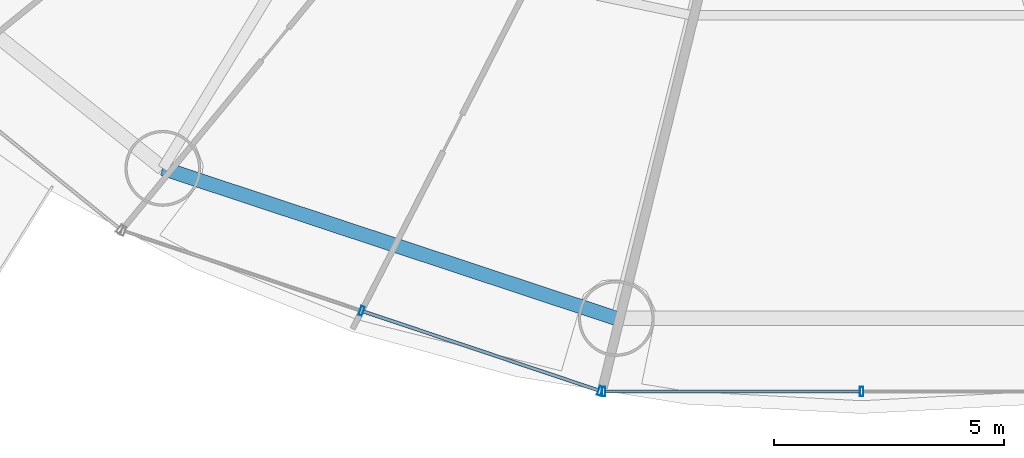
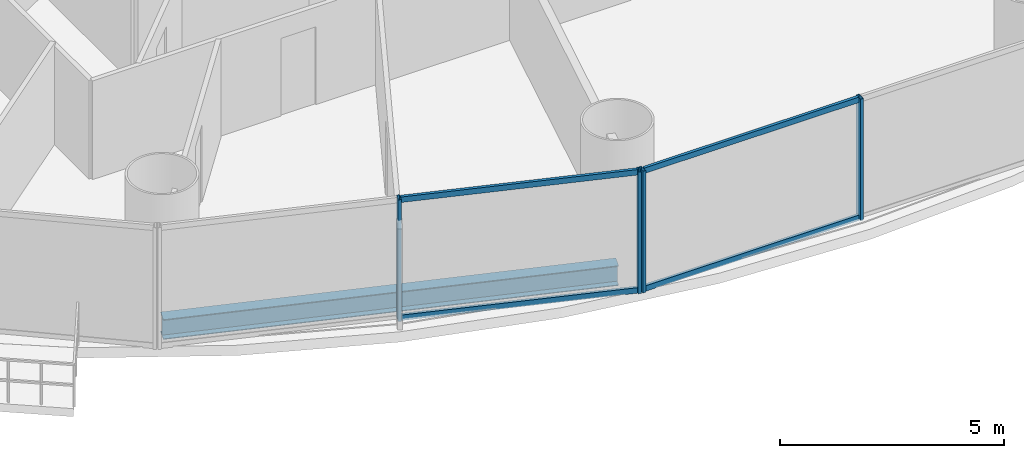
# One storey, part 4 of 30: 8 members, 1 beam, 2 elements without a shape of their own.
"""IFC4 building model written with IfcOpenShell, lengths in metres."""

from ifc_helpers import new_model, si_unit, direction, frame, origin, origin_2d, place, context, subcontext, project, spatial, hollow_rectangle, i_section, extrude, source, transform, mapped, material, material_profile, profile_set, type_object, element, aggregate, save


model = new_model("IFC4")

# Units and contexts
model_context = context("Model", 3, precision=1e-05, world=origin(), true_north=direction((-0.2419218956, 0.970295726276)))
body_context = subcontext(model_context, "Body", "Model", "MODEL_VIEW")
ifc_project = project(units=[si_unit("LENGTHUNIT", "METRE"), si_unit("AREAUNIT", "SQUARE_METRE"), si_unit("VOLUMEUNIT", "CUBIC_METRE"), si_unit("PLANEANGLEUNIT", "RADIAN"), si_unit("MASSUNIT", "GRAM", prefix="KILO")], contexts=[model_context])

# Site, building, storey
site_placement = place(None, origin())
site = spatial("IfcSite", under=ifc_project, at=site_placement, CompositionType="ELEMENT")
building_placement = place(site_placement, origin())
building = spatial("IfcBuilding", under=site, at=building_placement, Name="Cobrevalo Terracotta Tower", CompositionType="ELEMENT")
storey_placement = place(building_placement, frame((0.0, 0.0, 27.60009765625)))
storey = spatial("IfcBuildingStorey", under=building, at=storey_placement, Name="L06", CompositionType="ELEMENT", Elevation=27.60009765625)

# Beam
ifc_material_1 = material(Name="Steel S355", Category="steel")
ifc_material_profile_1 = material_profile(ifc_material_1, i_section(OverallWidth=0.31201171875, OverallDepth=0.54296875, WebThickness=0.0126953125, FlangeThickness=0.020263671875, at=origin_2d()), Name="W 530x150")
ifc_profile_set_1 = profile_set([ifc_material_profile_1], Name="Steel S355")
beam_type = type_object("IfcBeamType", Name="Structural Spandrel W 530x150 (Steel S355)", PredefinedType="SPANDREL", material=ifc_profile_set_1)
beam_placement = place(storey_placement, frame((22.80517578125, 8.63232421875, -0.551513671875), z_axis=(0.949372202648, -0.314153498848, 0.0), x_axis=(0.314153498848, 0.949372202648, 0.0)))
element("IfcBeam", 1, at=beam_placement, inside=storey, type_object=beam_type, Name="L06 perimeter ring spandrel 11", PredefinedType="SPANDREL", context=body_context, shape_type="SweptSolid", body=[
    extrude(i_section(OverallWidth=0.31201171875, OverallDepth=0.54296875, WebThickness=0.0126953125, FlangeThickness=0.020263671875, at=origin_2d()), origin(), (0.0, 0.0, 1.0), 10.385009765625),
])

# Curtain wall, members
ifc_material_2 = material(Name="Anodized aluminium", Category="aluminium")
curtain_wall_type = type_object("IfcCurtainWallType", Name="Lower-tower unitised acoustic low-E curtain wall CW-U1", PredefinedType="NOTDEFINED", material=ifc_material_2)
curtain_wall_1_placement = place(storey_placement, origin())
curtain_wall_1 = element("IfcCurtainWall", 2, at=curtain_wall_1_placement, inside=storey, type_object=curtain_wall_type, Name="L06 curtain wall CW-L06-S11", PredefinedType="NOTDEFINED")
ifc_material_profile_2 = material_profile(ifc_material_2, hollow_rectangle(XDim=0.074951171875, YDim=0.14990234375, WallThickness=0.00439453125, at=origin_2d()), Name="CWT 75x150")
ifc_profile_set_2 = profile_set([ifc_material_profile_2], Name="Anodized aluminium")
member_type_1 = type_object("IfcMemberType", Name="Tower unitised aluminium transom 75x150", PredefinedType="USERDEFINED", material=ifc_profile_set_2)
shared_shape_1 = source(origin(), body_context, "Body", "SweptSolid", [
    extrude(hollow_rectangle(XDim=0.074951171875, YDim=0.14990234375, WallThickness=0.00439453125, at=origin_2d()), origin(), (0.0, 0.0, 1.0), 5.387939453125),
])
member_1_placement = place(storey_placement, frame((27.16455078125, 5.5205078125, 0.0498046875), z_axis=(0.94804244582, -0.318143868278, 0.0), x_axis=(0.318143868278, 0.94804244582, 0.0)))
member_1 = element("IfcMember", 3, at=member_1_placement, type_object=member_type_1, Name="CW-L06-S11 transom B02-T1", ObjectType="TRANSOM", PredefinedType="USERDEFINED", context=body_context, shape_type="MappedRepresentation", body=[
    mapped(shared_shape_1, transform((0.0, 0.0, 0.0), scale=1.0)),
])
member_2_placement = place(storey_placement, frame((27.16455078125, 5.5205078125, 3.27001953125), z_axis=(0.94804244582, -0.318143868278, 0.0), x_axis=(0.318143868278, 0.94804244582, 0.0)))
member_2 = element("IfcMember", 4, at=member_2_placement, type_object=member_type_1, Name="CW-L06-S11 transom B02-T2", ObjectType="TRANSOM", PredefinedType="USERDEFINED", context=body_context, shape_type="MappedRepresentation", body=[
    mapped(shared_shape_1, transform((0.0, 0.0, 0.0), scale=1.0)),
])

curtain_wall_2_placement = place(storey_placement, origin())
curtain_wall_2 = element("IfcCurtainWall", 5, at=curtain_wall_2_placement, inside=storey, type_object=curtain_wall_type, Name="L06 curtain wall CW-L06-S12", PredefinedType="NOTDEFINED")
shared_shape_2 = source(origin(), body_context, "Body", "SweptSolid", [
    extrude(hollow_rectangle(XDim=0.074951171875, YDim=0.14990234375, WallThickness=0.00439453125, at=origin_2d()), origin(), (0.0, 0.0, 1.0), 5.53173828125),
])
member_3_placement = place(storey_placement, frame((32.42822265625, 3.781005859375, 0.0498046875), z_axis=(1.0, 0.0, 0.0), x_axis=(0.0, 1.0, 0.0)))
member_3 = element("IfcMember", 6, at=member_3_placement, type_object=member_type_1, Name="CW-L06-S12 transom B01-T1", ObjectType="TRANSOM", PredefinedType="USERDEFINED", context=body_context, shape_type="MappedRepresentation", body=[
    mapped(shared_shape_2, transform((0.0, 0.0, 0.0), scale=1.0)),
])
member_4_placement = place(storey_placement, frame((32.42822265625, 3.781005859375, 3.27001953125), z_axis=(1.0, 0.0, 0.0), x_axis=(0.0, 1.0, 0.0)))
member_4 = element("IfcMember", 7, at=member_4_placement, type_object=member_type_1, Name="CW-L06-S12 transom B01-T2", ObjectType="TRANSOM", PredefinedType="USERDEFINED", context=body_context, shape_type="MappedRepresentation", body=[
    mapped(shared_shape_2, transform((0.0, 0.0, 0.0), scale=1.0)),
])

# Member
ifc_material_profile_3 = material_profile(ifc_material_2, hollow_rectangle(XDim=0.074951171875, YDim=0.199951171875, WallThickness=0.0048828125, at=origin_2d()), Name="CWM 75x200")
ifc_profile_set_3 = profile_set([ifc_material_profile_3], Name="Anodized aluminium")
member_type_2 = type_object("IfcMemberType", Name="Lower/mid tower unitised mullion 75x200", PredefinedType="MULLION", material=ifc_profile_set_3)
shared_shape_3 = source(origin(), body_context, "Body", "SweptSolid", [
    extrude(hollow_rectangle(XDim=0.074951171875, YDim=0.199951171875, WallThickness=0.0048828125, at=origin_2d()), origin(), (0.0, 0.0, 1.0), 3.31982421875),
])
member_5_placement = place(storey_placement, frame((27.126708984375, 5.533203125, 0.0), z_axis=(0.0, 0.0, 1.0), x_axis=(0.948046393597, -0.318132103987, 0.0)))
member_5 = element("IfcMember", 8, at=member_5_placement, type_object=member_type_2, Name="CW-L06-S11 vertical mullion 02", PredefinedType="MULLION", context=body_context, shape_type="MappedRepresentation", body=[
    mapped(shared_shape_3, transform((0.0, 0.0, 0.0), scale=1.0)),
])

member_6_placement = place(storey_placement, frame((32.310302734375, 3.793701171875, 0.0), z_axis=(0.0, 0.0, 1.0), x_axis=(0.948046393597, -0.318132103987, 0.0)))
member_6 = element("IfcMember", 9, at=member_6_placement, type_object=member_type_2, Name="CW-L06-S11 vertical mullion 03", PredefinedType="MULLION", context=body_context, shape_type="MappedRepresentation", body=[
    mapped(shared_shape_3, transform((0.0, 0.0, 0.0), scale=1.0)),
])

aggregate(curtain_wall_1, [member_5, member_6, member_1, member_2])

member_7_placement = place(storey_placement, frame((32.38818359375, 3.781005859375, 0.0), z_axis=(0.0, 0.0, 1.0), x_axis=(1.0, 0.0, 0.0)))
member_7 = element("IfcMember", 10, at=member_7_placement, type_object=member_type_2, Name="CW-L06-S12 vertical mullion 01", PredefinedType="MULLION", context=body_context, shape_type="MappedRepresentation", body=[
    mapped(shared_shape_3, transform((0.0, 0.0, 0.0), scale=1.0)),
])

member_8_placement = place(storey_placement, frame((38.0, 3.781005859375, 0.0), z_axis=(0.0, 0.0, 1.0), x_axis=(1.0, 0.0, 0.0)))
member_8 = element("IfcMember", 11, at=member_8_placement, type_object=member_type_2, Name="CW-L06-S12 vertical mullion 02", PredefinedType="MULLION", context=body_context, shape_type="MappedRepresentation", body=[
    mapped(shared_shape_3, transform((0.0, 0.0, 0.0), scale=1.0)),
])

aggregate(curtain_wall_2, [member_7, member_8, member_3, member_4])

save(model, "model.ifc")
